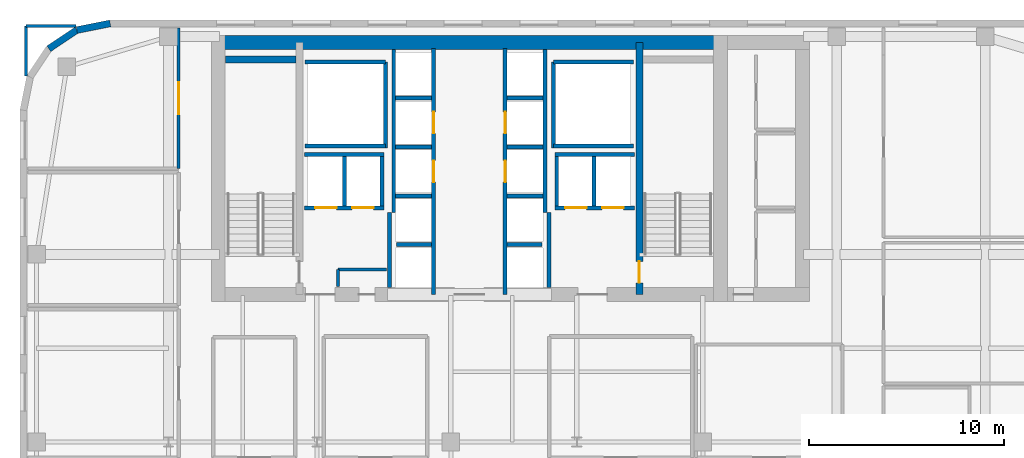
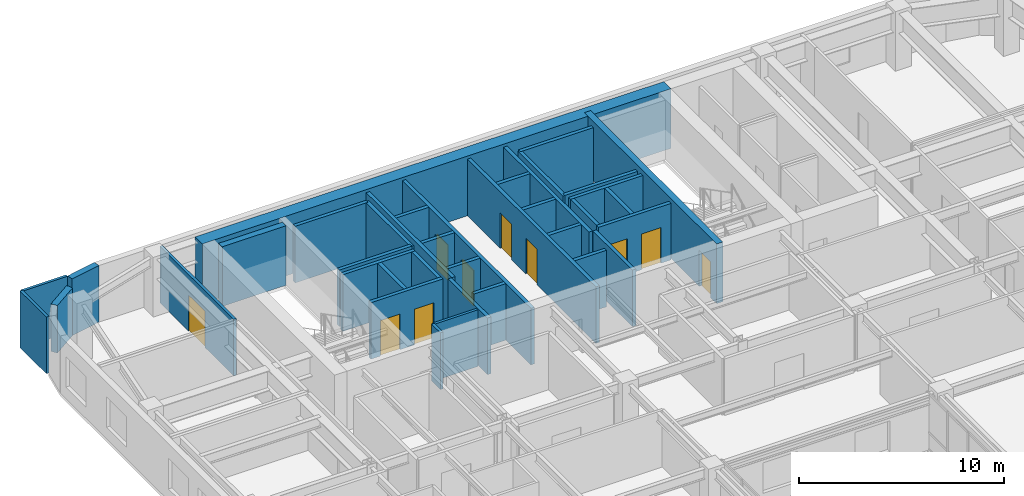
# One storey, part 21 of 25: 38 walls, 10 doors, 10 openings.
"""IFC4 building model written with IfcOpenShell, lengths in metres."""

from ifc_helpers import new_model, si_unit, direction, frame, frame_2d, origin, place, context, subcontext, project, spatial, rectangle, extrude, source, transform, mapped, material, layer, layer_set, type_object, type_shapes, element, fill, save


model = new_model("IFC4")

# Units and contexts
model_context = context("Model", 3, precision=1e-05, world=origin(), true_north=direction((0.0, 1.0)))
body_context = subcontext(model_context, "Body", "Model", "MODEL_VIEW")
ifc_project = project(units=[si_unit("LENGTHUNIT", "METRE"), si_unit("AREAUNIT", "SQUARE_METRE"), si_unit("VOLUMEUNIT", "CUBIC_METRE"), si_unit("PLANEANGLEUNIT", "RADIAN"), si_unit("MASSUNIT", "GRAM", prefix="KILO")], contexts=[model_context])

# Site, building, storey
site_placement = place(None, origin())
site = spatial("IfcSite", under=ifc_project, at=site_placement, CompositionType="ELEMENT")
building_placement = place(site_placement, origin())
building = spatial("IfcBuilding", under=site, at=building_placement, Name="Tolvann Quenvar Hotel", CompositionType="ELEMENT")
storey_placement = place(building_placement, frame((0.0, 0.0, 122.199951171875)))
storey = spatial("IfcBuildingStorey", under=building, at=storey_placement, Name="L31", CompositionType="ELEMENT", Elevation=122.199951171875)

# Wall
ifc_material_1 = material(Name="Concrete S65 (65 MPa)", Category="concrete")
ifc_layer_1 = layer(ifc_material_1, 0.699951171875)
ifc_layer_set_1 = layer_set([ifc_layer_1], Name="Concrete S65 (65 MPa)")
wall_type_1 = type_object("IfcWallType", Name="WALL_CORE_700", PredefinedType="SHEAR", material=ifc_layer_set_1)
wall_1_placement = place(storey_placement, frame((9.800048828125, 44.85009765625, 0.0), z_axis=(0.0, 0.0, 1.0), x_axis=(1.0, 0.0, 0.0)))
element("IfcWall", 1, at=wall_1_placement, inside=storey, type_object=wall_type_1, Name="Rear Core N Shear Wall (L31)", PredefinedType="SHEAR", context=body_context, shape_type="SweptSolid", body=[
    extrude(rectangle(XDim=26.39990234375, YDim=0.699951171875, at=frame_2d((13.199951171875, 0.0))), origin(), (0.0, 0.0, 1.0), 3.550048828125),
])

# Wall, opening, door
ifc_layer_2 = layer(ifc_material_1, 0.35009765625)
ifc_layer_set_2 = layer_set([ifc_layer_2], Name="Concrete S65 (65 MPa)")
wall_type_2 = type_object("IfcWallType", Name="WALL_CORE_INT_350", PredefinedType="SHEAR", material=ifc_layer_set_2)
wall_2_placement = place(storey_placement, frame((31.699951171875, 31.949951171875, 0.0), z_axis=(0.0, 0.0, 1.0), x_axis=(0.0, 1.0, 0.0)))
wall_2 = element("IfcWall", 2, at=wall_2_placement, inside=storey, type_object=wall_type_2, Name="Core Internal Web Shear Wall WEB-E (L31)", PredefinedType="SHEAR", context=body_context, shape_type="SweptSolid", body=[
    extrude(rectangle(XDim=12.900146484375, YDim=0.35009765625, at=frame_2d((6.4501953125, 0.0))), origin(), (0.0, 0.0, 1.0), 3.550048828125),
])
opening_1_placement = place(wall_2_placement, frame((1.7001953125, 0.0, 0.0), z_axis=(0.0, 0.0, 1.0), x_axis=(-1.0, 0.0, 0.0)))
opening_1 = element("IfcOpeningElement", 3, at=opening_1_placement, cuts=wall_2, Name="Opening FD-120", PredefinedType="OPENING", context=body_context, shape_type="SweptSolid", body=[
    extrude(rectangle(XDim=1.10009765625, YDim=2.1201171875, at=frame_2d((0.550048828125, 1.06005859375))), frame((0.0, 0.18505859375, 0.0), z_axis=(0.0, -1.0, 0.0), x_axis=(1.0, 0.0, 0.0)), (0.0, 0.0, 1.0), 0.3701171875),
])
ifc_material_2 = material(Name="Pressed galvanised steel fire-rated door set", Category="steel")
door_type_1 = type_object("IfcDoorType", Name="DOOR_FIRE_STAIR_1100", OperationType="NOTDEFINED", PredefinedType="DOOR", material=ifc_material_2)
shared_shape_1 = source(origin(), body_context, "Body", "SweptSolid", [
    extrude(rectangle(XDim=1.10009765625, YDim=2.1201171875, at=frame_2d((0.550048828125, 1.06005859375))), frame((0.0, 0.02490234375, 0.0), z_axis=(0.0, -1.0, 0.0), x_axis=(1.0, 0.0, 0.0)), (0.0, 0.0, 1.0), 0.050048828125),
])
type_shapes(door_type_1, [shared_shape_1])
door_1_placement = place(opening_1_placement, origin())
door_1 = element("IfcDoor", 4, at=door_1_placement, inside=storey, type_object=door_type_1, Name="Exit Stair ST-C2 Fire Door (L31)", OperationType="SINGLE_SWING_RIGHT", OverallHeight=2.1201171875, OverallWidth=1.10009765625, PredefinedType="DOOR", context=body_context, shape_type="MappedRepresentation", body=[
    mapped(shared_shape_1, transform((0.0, 0.0, 0.0), x_axis=(1.0, 0.0, 0.0), y_axis=(0.0, 1.0, 0.0), z_axis=(0.0, 0.0, 1.0), scale=1.0)),
])
fill(opening_1, door_1)

# Walls
wall_3_placement = place(storey_placement, frame((10.52001953125, 43.97509765625, 0.0), z_axis=(0.0, 0.0, 1.0), x_axis=(1.0, 0.0, 0.0)))
element("IfcWall", 5, at=wall_3_placement, inside=storey, type_object=wall_type_2, Name="Core Stair North Closing Shear Wall STC1-N (L31)", PredefinedType="SHEAR", context=body_context, shape_type="SweptSolid", body=[
    extrude(rectangle(XDim=3.60009765625, YDim=0.35009765625, at=frame_2d((1.800048828125, 0.0))), origin(), (0.0, 0.0, 1.0), 3.550048828125),
])
ifc_material_3 = material(Name="Kiln-fired red and buff architectural clay brickwork and terracotta masonry", Category="masonry")
ifc_layer_3 = layer(ifc_material_3, 0.35009765625)
ifc_layer_set_3 = layer_set([ifc_layer_3], Name="Kiln-fired red and buff architectural clay brickwork and terracotta masonry")
wall_type_3 = type_object("IfcWallType", Name="WALL_EXT_BRICK_350", PredefinedType="SOLIDWALL", material=ifc_layer_set_3)
wall_4_placement = place(storey_placement, frame((4.6171875, 45.824951171875, 0.0), z_axis=(0.0, 0.0, 1.0), x_axis=(-0.980800971659, -0.195011420161, 0.0)))
element("IfcWall", 6, at=wall_4_placement, inside=storey, type_object=wall_type_3, Name="Exterior Chicago Brick Wall L31-E19", PredefinedType="SOLIDWALL", context=body_context, shape_type="SweptSolid", body=[
    extrude(rectangle(XDim=1.74267578125, YDim=0.35009765625, at=frame_2d((0.871337890625, 0.0))), origin(), (0.0, 0.0, 1.0), 3.3701171875),
])
wall_5_placement = place(storey_placement, frame((2.907958984375, 45.485107421875, 0.0), z_axis=(0.0, 0.0, 1.0), x_axis=(-0.831483840845, -0.55554893791, 0.0)))
element("IfcWall", 7, at=wall_5_placement, inside=storey, type_object=wall_type_3, Name="Exterior Chicago Brick Wall L31-E20", PredefinedType="SOLIDWALL", context=body_context, shape_type="SweptSolid", body=[
    extrude(rectangle(XDim=1.725341796875, YDim=0.35009765625, at=frame_2d((0.86279296875, 0.0))), origin(), (0.0, 0.0, 1.0), 2.83203125),
])
ifc_material_4 = material(Name="Acoustic twin-stud fire-rated gypsum plasterboard partition")
ifc_layer_4 = layer(ifc_material_4, 0.14990234375)
ifc_layer_set_4 = layer_set([ifc_layer_4], Name="Acoustic twin-stud fire-rated gypsum plasterboard partition")
wall_type_4 = type_object("IfcWallType", Name="WALL_PART_SUITE_150", PredefinedType="PARTITIONING", material=ifc_layer_set_4)
wall_6_placement = place(storey_placement, frame((16.280029296875, 33.219970703125, 0.0), z_axis=(0.0, 0.0, 1.0), x_axis=(1.0, 0.0, 0.0)))
element("IfcWall", 8, at=wall_6_placement, inside=storey, type_object=wall_type_4, Name="Interior Partition PT-SPC-L31-CSW-1-N", PredefinedType="PARTITIONING", context=body_context, shape_type="SweptSolid", body=[
    extrude(rectangle(XDim=2.48486328125, YDim=0.14990234375, at=frame_2d((1.242431640625, 0.0))), origin(), (0.0, 0.0, 1.0), 3.3701171875),
])
wall_7_placement = place(storey_placement, frame((16.280029296875, 32.35498046875, 0.0), z_axis=(0.0, 0.0, 1.0), x_axis=(0.0, 1.0, 0.0)))
element("IfcWall", 9, at=wall_7_placement, inside=storey, type_object=wall_type_4, Name="Interior Partition PT-SPC-L31-CSW-1-W", PredefinedType="PARTITIONING", context=body_context, shape_type="SweptSolid", body=[
    extrude(rectangle(XDim=0.864990234375, YDim=0.14990234375, at=frame_2d((0.4326171875, 0.0))), origin(), (0.0, 0.0, 1.0), 3.3701171875),
])
for number, where, z_axis, x_axis, name in (
    (10, (0.300048828125, 45.699951171875, 0.0), (0.0, 0.0, 1.0), (1.0, 0.0, 0.0), "Interior Partition PT-SPC-L31-TEA-N"),
    (11, (0.300048828125, 43.135009765625, 0.0), (0.0, 0.0, 1.0), (0.0, 1.0, 0.0), "Interior Partition PT-SPC-L31-TEA-W"),
):
    element("IfcWall", number, at=place(storey_placement, frame(where, z_axis=z_axis, x_axis=x_axis)), inside=storey, type_object=wall_type_4, Name=name, PredefinedType="PARTITIONING", context=body_context, shape_type="SweptSolid", body=[
        extrude(rectangle(XDim=2.56494140625, YDim=0.14990234375, at=frame_2d((1.282470703125, 0.0))), origin(), (0.0, 0.0, 1.0), 3.3701171875),
    ])

# Wall, opening, door
wall_8_placement = place(storey_placement, frame((8.1201171875, 38.39990234375, 0.0), z_axis=(0.0, 0.0, 1.0), x_axis=(0.0, 1.0, 0.0)))
wall_8 = element("IfcWall", 12, at=wall_8_placement, inside=storey, type_object=wall_type_4, Name="Interior Partition PT-SPC-L31-TEA-E", PredefinedType="PARTITIONING", context=body_context, shape_type="SweptSolid", body=[
    extrude(rectangle(XDim=7.195068359375, YDim=0.14990234375, at=frame_2d((3.59765625, 0.0))), origin(), (0.0, 0.0, 1.0), 3.3701171875),
])
opening_2_placement = place(wall_8_placement, frame((2.7724609375, 0.0, 0.0)))
opening_2 = element("IfcOpeningElement", 13, at=opening_2_placement, cuts=wall_8, Name="Opening AD-01", PredefinedType="OPENING", context=body_context, shape_type="SweptSolid", body=[
    extrude(rectangle(XDim=1.64990234375, YDim=2.14990234375, at=frame_2d((0.824951171875, 1.074951171875))), frame((0.0, 0.0849609375, 0.0), z_axis=(0.0, -1.0, 0.0), x_axis=(1.0, 0.0, 0.0)), (0.0, 0.0, 1.0), 0.169921875),
])
ifc_material_5 = material(Name="Solid-core American oak acoustic fire door leaf in steel frame", Category="steel")
door_type_2 = type_object("IfcDoorType", Name="DOOR_SALON_1650", OperationType="NOTDEFINED", PredefinedType="DOOR", material=ifc_material_5)
shared_shape_2 = source(origin(), body_context, "Body", "SweptSolid", [
    extrude(rectangle(XDim=1.64990234375, YDim=2.14990234375, at=frame_2d((0.824951171875, 1.074951171875))), frame((0.0, 0.02490234375, 0.0), z_axis=(0.0, -1.0, 0.0), x_axis=(1.0, 0.0, 0.0)), (0.0, 0.0, 1.0), 0.050048828125),
])
type_shapes(door_type_2, [shared_shape_2])
door_2_placement = place(opening_2_placement, origin())
door_2 = element("IfcDoor", 14, at=door_2_placement, inside=storey, type_object=door_type_2, Name="Interior Door DOOR-SPC-L31-TEA", OperationType="DOUBLE_DOOR_SINGLE_SWING", OverallHeight=2.14990234375, OverallWidth=1.64990234375, PredefinedType="DOOR", context=body_context, shape_type="MappedRepresentation", body=[
    mapped(shared_shape_2, transform((0.0, 0.0, 0.0), x_axis=(1.0, 0.0, 0.0), y_axis=(0.0, 1.0, 0.0), z_axis=(0.0, 0.0, 1.0), scale=1.0)),
])
fill(opening_2, door_2)

# Walls
ifc_material_6 = material(Name="Concrete N40 (40 MPa)", Category="concrete")
ifc_layer_5 = layer(ifc_material_6, 0.199951171875)
ifc_layer_set_5 = layer_set([ifc_layer_5], Name="Concrete N40 (40 MPa)")
wall_type_5 = type_object("IfcWallType", Name="WALL_SHAFT_200", PredefinedType="SOLIDWALL", material=ifc_layer_set_5)
wall_9_placement = place(storey_placement, frame((18.699951171875, 39.449951171875, 0.0), z_axis=(0.0, 0.0, 1.0), x_axis=(0.0, 1.0, 0.0)))
element("IfcWall", 15, at=wall_9_placement, inside=storey, type_object=wall_type_5, Name="Service Riser W Shaft Wall IN (L31)", PredefinedType="SOLIDWALL", context=body_context, shape_type="SweptSolid", body=[
    extrude(rectangle(XDim=4.400146484375, YDim=0.199951171875, at=frame_2d((2.2001953125, 0.0))), origin(), (0.0, 0.0, 1.0), 3.3701171875),
])
for number, where, z_axis, x_axis, name in (
    (16, (14.60009765625, 39.550048828125, 0.0), (0.0, 0.0, 1.0), (1.0, 0.0, 0.0), "Service Riser W Shaft Wall S (L31)"),
    (17, (14.60009765625, 43.85009765625, 0.0), (0.0, 0.0, 1.0), (1.0, 0.0, 0.0), "Service Riser W Shaft Wall N (L31)"),
):
    element("IfcWall", number, at=place(storey_placement, frame(where, z_axis=z_axis, x_axis=x_axis)), inside=storey, type_object=wall_type_5, Name=name, PredefinedType="SOLIDWALL", context=body_context, shape_type="SweptSolid", body=[
        extrude(rectangle(XDim=4.099853515625, YDim=0.199951171875, at=frame_2d((2.0498046875, 0.0))), origin(), (0.0, 0.0, 1.0), 3.3701171875),
    ])
wall_10_placement = place(storey_placement, frame((27.300048828125, 39.449951171875, 0.0), z_axis=(0.0, 0.0, 1.0), x_axis=(0.0, 1.0, 0.0)))
element("IfcWall", 18, at=wall_10_placement, inside=storey, type_object=wall_type_5, Name="Service Riser E Shaft Wall IN (L31)", PredefinedType="SOLIDWALL", context=body_context, shape_type="SweptSolid", body=[
    extrude(rectangle(XDim=4.400146484375, YDim=0.199951171875, at=frame_2d((2.2001953125, 0.0))), origin(), (0.0, 0.0, 1.0), 3.3701171875),
])
for number, where, z_axis, x_axis, name in (
    (19, (27.300048828125, 39.550048828125, 0.0), (0.0, 0.0, 1.0), (1.0, 0.0, 0.0), "Service Riser E Shaft Wall S (L31)"),
    (20, (27.300048828125, 43.85009765625, 0.0), (0.0, 0.0, 1.0), (1.0, 0.0, 0.0), "Service Riser E Shaft Wall N (L31)"),
):
    element("IfcWall", number, at=place(storey_placement, frame(where, z_axis=z_axis, x_axis=x_axis)), inside=storey, type_object=wall_type_5, Name=name, PredefinedType="SOLIDWALL", context=body_context, shape_type="SweptSolid", body=[
        extrude(rectangle(XDim=4.099853515625, YDim=0.199951171875, at=frame_2d((2.0498046875, 0.0))), origin(), (0.0, 0.0, 1.0), 3.3701171875),
    ])
for number, where, z_axis, x_axis, name in (
    (21, (18.919921875, 32.303955078125, 0.0), (0.0, 0.0, 1.0), (0.0, 1.0, 0.0), "Firefighting Lobby W Inner Fire Wall (L31)"),
    (22, (27.080078125, 32.303955078125, 0.0), (0.0, 0.0, 1.0), (0.0, 1.0, 0.0), "Firefighting Lobby E Inner Fire Wall (L31)"),
):
    element("IfcWall", number, at=place(storey_placement, frame(where, z_axis=z_axis, x_axis=x_axis)), inside=storey, type_object=wall_type_5, Name=name, PredefinedType="SOLIDWALL", context=body_context, shape_type="SweptSolid", body=[
        extrude(rectangle(XDim=3.845947265625, YDim=0.199951171875, at=frame_2d((1.9228515625, 0.0))), origin(), (0.0, 0.0, 1.0), 3.3701171875),
    ])

# Wall, openings, doors
wall_11_placement = place(storey_placement, frame((21.169921875, 31.9599609375, 0.0), z_axis=(0.0, 0.0, 1.0), x_axis=(0.0, 1.0, 0.0)))
wall_11 = element("IfcWall", 23, at=wall_11_placement, inside=storey, type_object=wall_type_5, Name="Lift Bank E21.1C1 Hoistway Front Wall (L31)", PredefinedType="SOLIDWALL", context=body_context, shape_type="SweptSolid", body=[
    extrude(rectangle(XDim=12.580078125, YDim=0.199951171875, at=frame_2d((6.2900390625, 0.0))), origin(), (0.0, 0.0, 1.0), 3.3701171875),
])
opening_3_placement = place(wall_11_placement, frame((5.739990234375, 0.0, 0.0)))
opening_3 = element("IfcOpeningElement", 24, at=opening_3_placement, cuts=wall_11, Name="Opening LD-01", PredefinedType="OPENING", context=body_context, shape_type="SweptSolid", body=[
    extrude(rectangle(XDim=1.10009765625, YDim=2.1201171875, at=frame_2d((0.550048828125, 1.06005859375))), frame((0.0, 0.10986328125, 0.0), z_axis=(0.0, -1.0, 0.0), x_axis=(1.0, 0.0, 0.0)), (0.0, 0.0, 1.0), 0.219970703125),
])
opening_4_placement = place(wall_11_placement, frame((8.239990234375, 0.0, 0.0)))
opening_4 = element("IfcOpeningElement", 25, at=opening_4_placement, cuts=wall_11, Name="Opening LD-01", PredefinedType="OPENING", context=body_context, shape_type="SweptSolid", body=[
    extrude(rectangle(XDim=1.10009765625, YDim=2.1201171875, at=frame_2d((0.550048828125, 1.06005859375))), frame((0.0, 0.10986328125, 0.0), z_axis=(0.0, -1.0, 0.0), x_axis=(1.0, 0.0, 0.0)), (0.0, 0.0, 1.0), 0.219970703125),
])
ifc_material_7 = material(Name="Brushed 316 stainless steel automatic sliding lift landing door", Category="steel")
door_type_3 = type_object("IfcDoorType", Name="DOOR_LIFT_SLIDE_1100", OperationType="NOTDEFINED", PredefinedType="DOOR", material=ifc_material_7)
shared_shape_3 = source(origin(), body_context, "Body", "SweptSolid", [
    extrude(rectangle(XDim=1.10009765625, YDim=2.1201171875, at=frame_2d((0.550048828125, 1.06005859375))), frame((0.0, 0.02490234375, 0.0), z_axis=(0.0, -1.0, 0.0), x_axis=(1.0, 0.0, 0.0)), (0.0, 0.0, 1.0), 0.050048828125),
])
type_shapes(door_type_3, [shared_shape_3])
door_3_placement = place(opening_3_placement, origin())
door_3 = element("IfcDoor", 26, at=door_3_placement, inside=storey, type_object=door_type_3, Name="Lift PM-1 Sliding Landing Door (L31)", OperationType="SLIDING_TO_RIGHT", OverallHeight=2.1201171875, OverallWidth=1.10009765625, PredefinedType="DOOR", context=body_context, shape_type="MappedRepresentation", body=[
    mapped(shared_shape_3, transform((0.0, 0.0, 0.0), x_axis=(1.0, 0.0, 0.0), y_axis=(0.0, 1.0, 0.0), z_axis=(0.0, 0.0, 1.0), scale=1.0)),
])
fill(opening_3, door_3)
door_4_placement = place(opening_4_placement, origin())
door_4 = element("IfcDoor", 27, at=door_4_placement, inside=storey, type_object=door_type_3, Name="Lift PM-2 Sliding Landing Door (L31)", OperationType="SLIDING_TO_LEFT", OverallHeight=2.1201171875, OverallWidth=1.10009765625, PredefinedType="DOOR", context=body_context, shape_type="MappedRepresentation", body=[
    mapped(shared_shape_3, transform((0.0, 0.0, 0.0), x_axis=(1.0, 0.0, 0.0), y_axis=(0.0, 1.0, 0.0), z_axis=(0.0, 0.0, 1.0), scale=1.0)),
])
fill(opening_4, door_4)

# Walls
wall_12_placement = place(storey_placement, frame((19.1298828125, 36.159912109375, 0.0), z_axis=(0.0, 0.0, 1.0), x_axis=(0.0, 1.0, 0.0)))
element("IfcWall", 28, at=wall_12_placement, inside=storey, type_object=wall_type_5, Name="Lift Bank E21.1C1 Hoistway Rear Wall (L31)", PredefinedType="SOLIDWALL", context=body_context, shape_type="SweptSolid", body=[
    extrude(rectangle(XDim=8.336181640625, YDim=0.199951171875, at=frame_2d((4.16796875, 0.0))), origin(), (0.0, 0.0, 1.0), 3.3701171875),
])
wall_13_placement = place(storey_placement, frame((19.27001953125, 34.5, 0.0), z_axis=(0.0, 0.0, 1.0), x_axis=(1.0, 0.0, 0.0)))
element("IfcWall", 29, at=wall_13_placement, inside=storey, type_object=wall_type_5, Name="Lift Bank E21.1C1 Divider Wall 1 (L31)", PredefinedType="SOLIDWALL", context=body_context, shape_type="SweptSolid", body=[
    extrude(rectangle(XDim=1.800048828125, YDim=0.199951171875, at=frame_2d((0.89990234375, 0.0))), origin(), (0.0, 0.0, 1.0), 3.3701171875),
])
for number, where, z_axis, x_axis, name in (
    (30, (19.22998046875, 37.0, 0.0), (0.0, 0.0, 1.0), (1.0, 0.0, 0.0), "Lift Bank E21.1C1 Divider Wall 2 (L31)"),
    (31, (19.22998046875, 39.5, 0.0), (0.0, 0.0, 1.0), (1.0, 0.0, 0.0), "Lift Bank E21.1C1 Divider Wall 3 (L31)"),
    (32, (19.22998046875, 42.0, 0.0), (0.0, 0.0, 1.0), (1.0, 0.0, 0.0), "Lift Bank E21.1C1 Divider Wall 4 (L31)"),
):
    element("IfcWall", number, at=place(storey_placement, frame(where, z_axis=z_axis, x_axis=x_axis)), inside=storey, type_object=wall_type_5, Name=name, PredefinedType="SOLIDWALL", context=body_context, shape_type="SweptSolid", body=[
        extrude(rectangle(XDim=1.840087890625, YDim=0.199951171875, at=frame_2d((0.919921875, 0.0))), origin(), (0.0, 0.0, 1.0), 3.3701171875),
    ])

# Wall, openings, doors
wall_14_placement = place(storey_placement, frame((27.375, 36.3798828125, 0.0), z_axis=(0.0, 0.0, 1.0), x_axis=(1.0, 0.0, 0.0)))
wall_14 = element("IfcWall", 33, at=wall_14_placement, inside=storey, type_object=wall_type_5, Name="Lift Bank SEC1 Hoistway Front Wall (L31)", PredefinedType="SOLIDWALL", context=body_context, shape_type="SweptSolid", body=[
    extrude(rectangle(XDim=4.074951171875, YDim=0.199951171875, at=frame_2d((2.03759765625, 0.0))), origin(), (0.0, 0.0, 1.0), 3.3701171875),
])
opening_5_placement = place(wall_14_placement, frame((0.52490234375, 0.0, 0.0)))
opening_5 = element("IfcOpeningElement", 34, at=opening_5_placement, cuts=wall_14, Name="Opening LD-01", PredefinedType="OPENING", context=body_context, shape_type="SweptSolid", body=[
    extrude(rectangle(XDim=1.10009765625, YDim=2.1201171875, at=frame_2d((0.550048828125, 1.06005859375))), frame((0.0, 0.10986328125, 0.0), z_axis=(0.0, -1.0, 0.0), x_axis=(1.0, 0.0, 0.0)), (0.0, 0.0, 1.0), 0.219970703125),
])
opening_6_placement = place(wall_14_placement, frame((2.425048828125, 0.0, 0.0)))
opening_6 = element("IfcOpeningElement", 35, at=opening_6_placement, cuts=wall_14, Name="Opening LD-01", PredefinedType="OPENING", context=body_context, shape_type="SweptSolid", body=[
    extrude(rectangle(XDim=1.10009765625, YDim=2.1201171875, at=frame_2d((0.550048828125, 1.06005859375))), frame((0.0, 0.10986328125, 0.0), z_axis=(0.0, -1.0, 0.0), x_axis=(1.0, 0.0, 0.0)), (0.0, 0.0, 1.0), 0.219970703125),
])
door_5_placement = place(opening_5_placement, origin())
door_5 = element("IfcDoor", 36, at=door_5_placement, inside=storey, type_object=door_type_3, Name="Lift SV-2 Sliding Landing Door (L31)", OperationType="SLIDING_TO_LEFT", OverallHeight=2.1201171875, OverallWidth=1.10009765625, PredefinedType="DOOR", context=body_context, shape_type="MappedRepresentation", body=[
    mapped(shared_shape_3, transform((0.0, 0.0, 0.0), x_axis=(1.0, 0.0, 0.0), y_axis=(0.0, 1.0, 0.0), z_axis=(0.0, 0.0, 1.0), scale=1.0)),
])
fill(opening_5, door_5)
door_6_placement = place(opening_6_placement, origin())
door_6 = element("IfcDoor", 37, at=door_6_placement, inside=storey, type_object=door_type_3, Name="Lift FF-2 Sliding Landing Door (L31)", OperationType="SLIDING_TO_RIGHT", OverallHeight=2.1201171875, OverallWidth=1.10009765625, PredefinedType="DOOR", context=body_context, shape_type="MappedRepresentation", body=[
    mapped(shared_shape_3, transform((0.0, 0.0, 0.0), x_axis=(1.0, 0.0, 0.0), y_axis=(0.0, 1.0, 0.0), z_axis=(0.0, 0.0, 1.0), scale=1.0)),
])
fill(opening_6, door_6)

# Walls
wall_15_placement = place(storey_placement, frame((27.375, 39.1201171875, 0.0), z_axis=(0.0, 0.0, 1.0), x_axis=(1.0, 0.0, 0.0)))
element("IfcWall", 38, at=wall_15_placement, inside=storey, type_object=wall_type_5, Name="Lift Bank SEC1 Hoistway Rear Wall (L31)", PredefinedType="SOLIDWALL", context=body_context, shape_type="SweptSolid", body=[
    extrude(rectangle(XDim=4.074951171875, YDim=0.199951171875, at=frame_2d((2.03759765625, 0.0))), origin(), (0.0, 0.0, 1.0), 3.3701171875),
])
for number, where, z_axis, x_axis, name in (
    (39, (27.47509765625, 36.47998046875, 0.0), (0.0, 0.0, 1.0), (0.0, 1.0, 0.0), "Lift Bank SEC1 Hoistway Cheek Wall 1 (L31)"),
    (40, (29.387451171875, 36.47998046875, 0.0), (0.0, 0.0, 1.0), (0.0, 1.0, 0.0), "Lift Bank SEC1 Divider Wall 1 (L31)"),
):
    element("IfcWall", number, at=place(storey_placement, frame(where, z_axis=z_axis, x_axis=x_axis)), inside=storey, type_object=wall_type_5, Name=name, PredefinedType="SOLIDWALL", context=body_context, shape_type="SweptSolid", body=[
        extrude(rectangle(XDim=2.5400390625, YDim=0.199951171875, at=frame_2d((1.27001953125, 0.0))), origin(), (0.0, 0.0, 1.0), 3.3701171875),
    ])

# Wall, openings, doors
wall_16_placement = place(storey_placement, frame((14.550048828125, 36.3798828125, 0.0), z_axis=(0.0, 0.0, 1.0), x_axis=(1.0, 0.0, 0.0)))
wall_16 = element("IfcWall", 41, at=wall_16_placement, inside=storey, type_object=wall_type_5, Name="Lift Bank SWC1 Hoistway Front Wall (L31)", PredefinedType="SOLIDWALL", context=body_context, shape_type="SweptSolid", body=[
    extrude(rectangle(XDim=4.074951171875, YDim=0.199951171875, at=frame_2d((2.03759765625, 0.0))), origin(), (0.0, 0.0, 1.0), 3.3701171875),
])
opening_7_placement = place(wall_16_placement, frame((0.550048828125, 0.0, 0.0)))
opening_7 = element("IfcOpeningElement", 42, at=opening_7_placement, cuts=wall_16, Name="Opening LD-01", PredefinedType="OPENING", context=body_context, shape_type="SweptSolid", body=[
    extrude(rectangle(XDim=1.10009765625, YDim=2.1201171875, at=frame_2d((0.550048828125, 1.06005859375))), frame((0.0, 0.10986328125, 0.0), z_axis=(0.0, -1.0, 0.0), x_axis=(1.0, 0.0, 0.0)), (0.0, 0.0, 1.0), 0.219970703125),
])
opening_8_placement = place(wall_16_placement, frame((2.449951171875, 0.0, 0.0)))
opening_8 = element("IfcOpeningElement", 43, at=opening_8_placement, cuts=wall_16, Name="Opening LD-01", PredefinedType="OPENING", context=body_context, shape_type="SweptSolid", body=[
    extrude(rectangle(XDim=1.10009765625, YDim=2.1201171875, at=frame_2d((0.550048828125, 1.06005859375))), frame((0.0, 0.10986328125, 0.0), z_axis=(0.0, -1.0, 0.0), x_axis=(1.0, 0.0, 0.0)), (0.0, 0.0, 1.0), 0.219970703125),
])
door_7_placement = place(opening_7_placement, origin())
door_7 = element("IfcDoor", 44, at=door_7_placement, inside=storey, type_object=door_type_3, Name="Lift FF-1 Sliding Landing Door (L31)", OperationType="SLIDING_TO_LEFT", OverallHeight=2.1201171875, OverallWidth=1.10009765625, PredefinedType="DOOR", context=body_context, shape_type="MappedRepresentation", body=[
    mapped(shared_shape_3, transform((0.0, 0.0, 0.0), x_axis=(1.0, 0.0, 0.0), y_axis=(0.0, 1.0, 0.0), z_axis=(0.0, 0.0, 1.0), scale=1.0)),
])
fill(opening_7, door_7)
door_8_placement = place(opening_8_placement, origin())
door_8 = element("IfcDoor", 45, at=door_8_placement, inside=storey, type_object=door_type_3, Name="Lift SV-1 Sliding Landing Door (L31)", OperationType="SLIDING_TO_RIGHT", OverallHeight=2.1201171875, OverallWidth=1.10009765625, PredefinedType="DOOR", context=body_context, shape_type="MappedRepresentation", body=[
    mapped(shared_shape_3, transform((0.0, 0.0, 0.0), x_axis=(1.0, 0.0, 0.0), y_axis=(0.0, 1.0, 0.0), z_axis=(0.0, 0.0, 1.0), scale=1.0)),
])
fill(opening_8, door_8)

# Walls
wall_17_placement = place(storey_placement, frame((14.550048828125, 39.1201171875, 0.0), z_axis=(0.0, 0.0, 1.0), x_axis=(1.0, 0.0, 0.0)))
element("IfcWall", 46, at=wall_17_placement, inside=storey, type_object=wall_type_5, Name="Lift Bank SWC1 Hoistway Rear Wall (L31)", PredefinedType="SOLIDWALL", context=body_context, shape_type="SweptSolid", body=[
    extrude(rectangle(XDim=4.074951171875, YDim=0.199951171875, at=frame_2d((2.03759765625, 0.0))), origin(), (0.0, 0.0, 1.0), 3.3701171875),
])
for number, where, z_axis, x_axis, name in (
    (47, (18.52490234375, 36.47998046875, 0.0), (0.0, 0.0, 1.0), (0.0, 1.0, 0.0), "Lift Bank SWC1 Hoistway Cheek Wall 2 (L31)"),
    (48, (16.612548828125, 36.47998046875, 0.0), (0.0, 0.0, 1.0), (0.0, 1.0, 0.0), "Lift Bank SWC1 Divider Wall 1 (L31)"),
):
    element("IfcWall", number, at=place(storey_placement, frame(where, z_axis=z_axis, x_axis=x_axis)), inside=storey, type_object=wall_type_5, Name=name, PredefinedType="SOLIDWALL", context=body_context, shape_type="SweptSolid", body=[
        extrude(rectangle(XDim=2.5400390625, YDim=0.199951171875, at=frame_2d((1.27001953125, 0.0))), origin(), (0.0, 0.0, 1.0), 3.3701171875),
    ])

# Wall, openings, doors
wall_18_placement = place(storey_placement, frame((24.830078125, 31.9599609375, 0.0), z_axis=(0.0, 0.0, 1.0), x_axis=(0.0, 1.0, 0.0)))
wall_18 = element("IfcWall", 49, at=wall_18_placement, inside=storey, type_object=wall_type_5, Name="Lift Bank W24.9C1 Hoistway Front Wall (L31)", PredefinedType="SOLIDWALL", context=body_context, shape_type="SweptSolid", body=[
    extrude(rectangle(XDim=12.580078125, YDim=0.199951171875, at=frame_2d((6.2900390625, 0.0))), origin(), (0.0, 0.0, 1.0), 3.3701171875),
])
opening_9_placement = place(wall_18_placement, frame((5.739990234375, 0.0, 0.0)))
opening_9 = element("IfcOpeningElement", 50, at=opening_9_placement, cuts=wall_18, Name="Opening LD-01", PredefinedType="OPENING", context=body_context, shape_type="SweptSolid", body=[
    extrude(rectangle(XDim=1.10009765625, YDim=2.1201171875, at=frame_2d((0.550048828125, 1.06005859375))), frame((0.0, 0.10986328125, 0.0), z_axis=(0.0, -1.0, 0.0), x_axis=(1.0, 0.0, 0.0)), (0.0, 0.0, 1.0), 0.219970703125),
])
opening_10_placement = place(wall_18_placement, frame((8.239990234375, 0.0, 0.0)))
opening_10 = element("IfcOpeningElement", 51, at=opening_10_placement, cuts=wall_18, Name="Opening LD-01", PredefinedType="OPENING", context=body_context, shape_type="SweptSolid", body=[
    extrude(rectangle(XDim=1.10009765625, YDim=2.1201171875, at=frame_2d((0.550048828125, 1.06005859375))), frame((0.0, 0.10986328125, 0.0), z_axis=(0.0, -1.0, 0.0), x_axis=(1.0, 0.0, 0.0)), (0.0, 0.0, 1.0), 0.219970703125),
])
door_9_placement = place(opening_9_placement, origin())
door_9 = element("IfcDoor", 52, at=door_9_placement, inside=storey, type_object=door_type_3, Name="Lift PM-3 Sliding Landing Door (L31)", OperationType="SLIDING_TO_RIGHT", OverallHeight=2.1201171875, OverallWidth=1.10009765625, PredefinedType="DOOR", context=body_context, shape_type="MappedRepresentation", body=[
    mapped(shared_shape_3, transform((0.0, 0.0, 0.0), x_axis=(1.0, 0.0, 0.0), y_axis=(0.0, 1.0, 0.0), z_axis=(0.0, 0.0, 1.0), scale=1.0)),
])
fill(opening_9, door_9)
door_10_placement = place(opening_10_placement, origin())
door_10 = element("IfcDoor", 53, at=door_10_placement, inside=storey, type_object=door_type_3, Name="Lift PM-4 Sliding Landing Door (L31)", OperationType="SLIDING_TO_LEFT", OverallHeight=2.1201171875, OverallWidth=1.10009765625, PredefinedType="DOOR", context=body_context, shape_type="MappedRepresentation", body=[
    mapped(shared_shape_3, transform((0.0, 0.0, 0.0), x_axis=(1.0, 0.0, 0.0), y_axis=(0.0, 1.0, 0.0), z_axis=(0.0, 0.0, 1.0), scale=1.0)),
])
fill(opening_10, door_10)

# Walls
wall_19_placement = place(storey_placement, frame((26.8701171875, 36.159912109375, 0.0), z_axis=(0.0, 0.0, 1.0), x_axis=(0.0, 1.0, 0.0)))
element("IfcWall", 54, at=wall_19_placement, inside=storey, type_object=wall_type_5, Name="Lift Bank W24.9C1 Hoistway Rear Wall (L31)", PredefinedType="SOLIDWALL", context=body_context, shape_type="SweptSolid", body=[
    extrude(rectangle(XDim=8.336181640625, YDim=0.199951171875, at=frame_2d((4.16796875, 0.0))), origin(), (0.0, 0.0, 1.0), 3.3701171875),
])
wall_20_placement = place(storey_placement, frame((24.929931640625, 34.5, 0.0), z_axis=(0.0, 0.0, 1.0), x_axis=(1.0, 0.0, 0.0)))
element("IfcWall", 55, at=wall_20_placement, inside=storey, type_object=wall_type_5, Name="Lift Bank W24.9C1 Divider Wall 1 (L31)", PredefinedType="SOLIDWALL", context=body_context, shape_type="SweptSolid", body=[
    extrude(rectangle(XDim=1.800048828125, YDim=0.199951171875, at=frame_2d((0.89990234375, 0.0))), origin(), (0.0, 0.0, 1.0), 3.3701171875),
])
for number, where, z_axis, x_axis, name in (
    (56, (24.929931640625, 37.0, 0.0), (0.0, 0.0, 1.0), (1.0, 0.0, 0.0), "Lift Bank W24.9C1 Divider Wall 2 (L31)"),
    (57, (24.929931640625, 39.5, 0.0), (0.0, 0.0, 1.0), (1.0, 0.0, 0.0), "Lift Bank W24.9C1 Divider Wall 3 (L31)"),
    (58, (24.929931640625, 42.0, 0.0), (0.0, 0.0, 1.0), (1.0, 0.0, 0.0), "Lift Bank W24.9C1 Divider Wall 4 (L31)"),
):
    element("IfcWall", number, at=place(storey_placement, frame(where, z_axis=z_axis, x_axis=x_axis)), inside=storey, type_object=wall_type_5, Name=name, PredefinedType="SOLIDWALL", context=body_context, shape_type="SweptSolid", body=[
        extrude(rectangle(XDim=1.840087890625, YDim=0.199951171875, at=frame_2d((0.919921875, 0.0))), origin(), (0.0, 0.0, 1.0), 3.3701171875),
    ])

save(model, "model.ifc")
